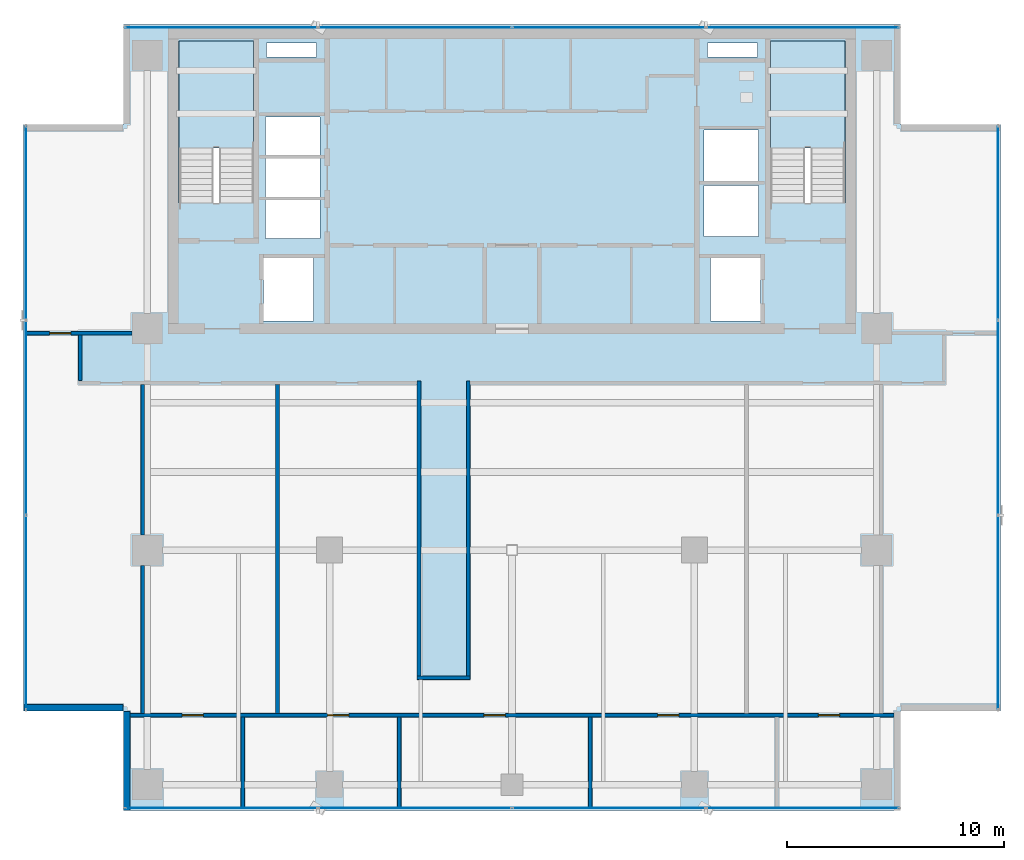
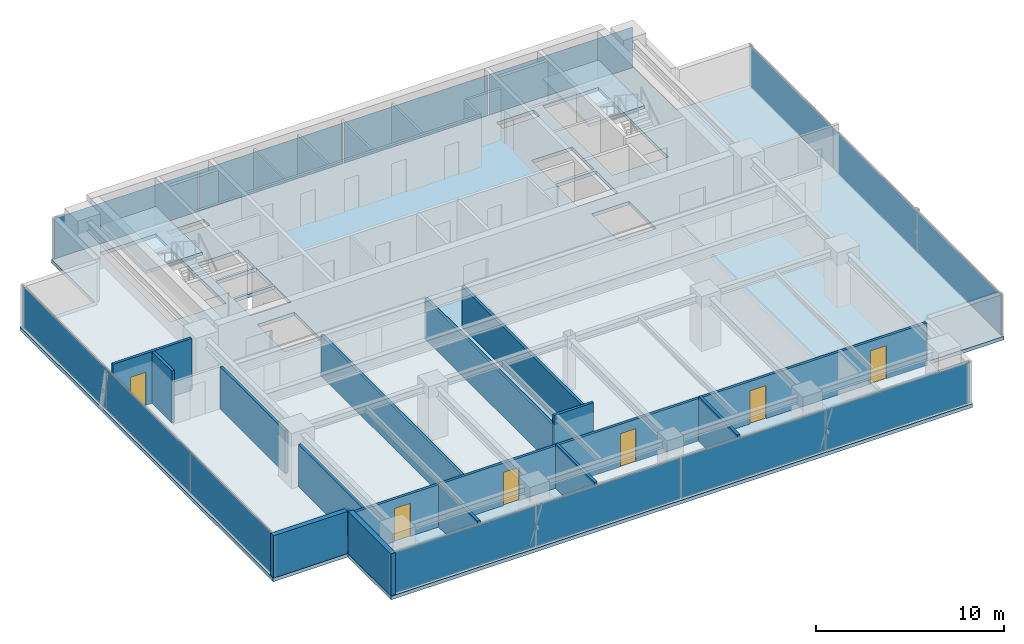
# One storey, part 19 of 27: 14 plates, 14 walls, 6 doors, 3 slabs, 6 openings, 6 elements without a shape of their own.
"""IFC4 building model written with IfcOpenShell, lengths in metres."""

from ifc_helpers import new_model, si_unit, direction, frame, frame_2d, origin, origin_2d, place, context, subcontext, project, spatial, polyline, rectangle, outline, extrude, source, transform, mapped, material, layer, layer_set, type_object, element, fill, aggregate, save


model = new_model("IFC4")

# Units and contexts
model_context = context("Model", 3, precision=1e-05, world=origin(), true_north=direction((0.0, 1.0)))
body_context = subcontext(model_context, "Body", "Model", "MODEL_VIEW")
ifc_project = project(units=[si_unit("LENGTHUNIT", "METRE"), si_unit("AREAUNIT", "SQUARE_METRE"), si_unit("VOLUMEUNIT", "CUBIC_METRE"), si_unit("PLANEANGLEUNIT", "RADIAN"), si_unit("MASSUNIT", "GRAM", prefix="KILO")], contexts=[model_context])

# Site, building, storey
site_placement = place(None, origin())
site = spatial("IfcSite", under=ifc_project, at=site_placement, CompositionType="ELEMENT")
building_placement = place(site_placement, origin())
building = spatial("IfcBuilding", under=site, at=building_placement, Name="Sumidabori Civic Tower", CompositionType="ELEMENT")
storey_placement = place(building_placement, frame((0.0, 0.0, 257.60009765625)))
storey = spatial("IfcBuildingStorey", under=building, at=storey_placement, Name="L67", CompositionType="ELEMENT", Elevation=257.60009765625)

# Stair, slab
ifc_material_1 = material(Name="Concrete C40/50", Category="concrete")
stair_type = type_object("IfcStairType", Name="ST-CORE-1600", PredefinedType="HALF_TURN_STAIR", material=ifc_material_1)
stair_1_placement = place(storey_placement, origin())
stair_1 = element("IfcStair", 1, at=stair_1_placement, inside=storey, type_object=stair_type, Name="L67 ST-1", PredefinedType="HALF_TURN_STAIR")
ifc_layer_1 = layer(ifc_material_1, 0.199951171875, Name="Concrete C40/50")
ifc_layer_set_1 = layer_set([ifc_layer_1], Name="Concrete C40/50")
slab_type_1 = type_object("IfcSlabType", Name="SL-LAND-200", PredefinedType="LANDING", material=ifc_layer_set_1)
slab_1_placement = place(storey_placement, frame((0.0, 0.0, 1.599853515625)))
slab_1 = element("IfcSlab", 2, at=slab_1_placement, type_object=slab_type_1, Name="ST-1 landing 1", PredefinedType="LANDING", context=body_context, shape_type="SweptSolid", body=[
    extrude(outline(polyline([(-11.89990234375, 18.52001953125), (-11.89990234375, 23.449951171875), (-15.340087890625, 23.449951171875), (-15.340087890625, 18.52001953125), (-11.89990234375, 18.52001953125)])), origin(), (0.0, 0.0, 1.0), 0.199951171875),
])
aggregate(stair_1, [slab_1])

stair_2_placement = place(storey_placement, origin())
stair_2 = element("IfcStair", 3, at=stair_2_placement, inside=storey, type_object=stair_type, Name="L67 ST-2", PredefinedType="HALF_TURN_STAIR")
slab_2_placement = place(storey_placement, frame((0.0, 0.0, 1.599853515625)))
slab_2 = element("IfcSlab", 4, at=slab_2_placement, type_object=slab_type_1, Name="ST-2 landing 1", PredefinedType="LANDING", context=body_context, shape_type="SweptSolid", body=[
    extrude(outline(polyline([(15.340087890625, 18.52001953125), (15.340087890625, 23.449951171875), (11.89990234375, 23.449951171875), (11.89990234375, 18.52001953125), (15.340087890625, 18.52001953125)])), origin(), (0.0, 0.0, 1.0), 0.199951171875),
])
aggregate(stair_2, [slab_2])

# Slab
ifc_layer_2 = layer(ifc_material_1, 0.22998046875, Name="Concrete C40/50")
ifc_layer_set_2 = layer_set([ifc_layer_2], Name="Concrete C40/50")
slab_type_2 = type_object("IfcSlabType", Name="SL-Z4-230", PredefinedType="FLOOR", material=ifc_layer_set_2)
slab_3_placement = place(storey_placement, frame((0.0, 0.0, -0.22998046875)))
element("IfcSlab", 5, at=slab_3_placement, inside=storey, type_object=slab_type_2, Name="Structural Slab L67", PredefinedType="FLOOR", context=body_context, shape_type="SweptSolid", body=[
    extrude(outline(polyline([(-17.89990234375, -12.0), (17.89990234375, -12.0), (17.89990234375, -7.39990234375), (22.5, -7.39990234375), (22.5, 19.60009765625), (17.89990234375, 19.60009765625), (17.89990234375, 24.199951171875), (-17.89990234375, 24.199951171875), (-17.89990234375, 19.60009765625), (-22.5, 19.60009765625), (-22.5, -7.39990234375), (-17.89990234375, -7.39990234375), (-17.89990234375, -12.0)]), holes=[polyline([(-11.89990234375, 16.0), (-11.89990234375, 23.449951171875), (-15.340087890625, 23.449951171875), (-15.340087890625, 16.0), (-11.89990234375, 16.0)]), polyline([(15.340087890625, 16.0), (15.340087890625, 23.449951171875), (11.89990234375, 23.449951171875), (11.89990234375, 16.0), (15.340087890625, 16.0)]), polyline([(-11.449951171875, 10.550048828125), (-9.14990234375, 10.550048828125), (-9.14990234375, 13.449951171875), (-11.449951171875, 13.449951171875), (-11.449951171875, 10.550048828125)]), polyline([(9.14990234375, 10.550048828125), (11.449951171875, 10.550048828125), (11.449951171875, 13.449951171875), (9.14990234375, 13.449951171875), (9.14990234375, 10.550048828125)]), polyline([(-11.35009765625, 14.35009765625), (-8.85009765625, 14.35009765625), (-8.85009765625, 16.1201171875), (-11.35009765625, 16.1201171875), (-11.35009765625, 14.35009765625)]), polyline([(-11.35009765625, 16.27001953125), (-8.85009765625, 16.27001953125), (-8.85009765625, 18.0400390625), (-11.35009765625, 18.0400390625), (-11.35009765625, 16.27001953125)]), polyline([(-11.35009765625, 18.18994140625), (-8.85009765625, 18.18994140625), (-8.85009765625, 19.9599609375), (-11.35009765625, 19.9599609375), (-11.35009765625, 18.18994140625)]), polyline([(8.85009765625, 14.449951171875), (11.35009765625, 14.449951171875), (11.35009765625, 16.800048828125), (8.85009765625, 16.800048828125), (8.85009765625, 14.449951171875)]), polyline([(8.85009765625, 17.0), (11.35009765625, 17.0), (11.35009765625, 19.35009765625), (8.85009765625, 19.35009765625), (8.85009765625, 17.0)]), polyline([(-11.300048828125, 22.719970703125), (-9.0, 22.719970703125), (-9.0, 23.35009765625), (-11.300048828125, 23.35009765625), (-11.300048828125, 22.719970703125)]), polyline([(9.0, 22.719970703125), (11.300048828125, 22.719970703125), (11.300048828125, 23.35009765625), (9.0, 23.35009765625), (9.0, 22.719970703125)])]), origin(), (0.0, 0.0, 1.0), 0.22998046875),
])

# Curtain wall, plates
ifc_material_2 = material(Name="Anodised Bronze Aluminium AW-6063-T6", Category="aluminium")
ifc_layer_3 = layer(ifc_material_2, 0.179931640625, Name="Anodised Bronze Aluminium AW-6063-T6")
ifc_layer_set_3 = layer_set([ifc_layer_3], Name="Anodised Bronze Aluminium AW-6063-T6")
curtain_wall_type = type_object("IfcCurtainWallType", Name="CW-SYS-5", PredefinedType="NOTDEFINED", material=ifc_layer_set_3)
curtain_wall_1_placement = place(storey_placement, origin())
curtain_wall_1 = element("IfcCurtainWall", 6, at=curtain_wall_1_placement, inside=storey, type_object=curtain_wall_type, Name="Curtain Wall CW:L67:R01", PredefinedType="NOTDEFINED")
ifc_material_3 = material(Name="Low-E Solar-Control Vision Glazing", Category="glass")
ifc_layer_4 = layer(ifc_material_3, 0.028076171875, Name="Low-E Solar-Control Vision Glazing")
ifc_layer_set_4 = layer_set([ifc_layer_4], Name="Low-E Solar-Control Vision Glazing")
plate_type = type_object("IfcPlateType", Name="CW-PNL-28", PredefinedType="CURTAIN_PANEL", material=ifc_layer_set_4)
shared_shape_1 = source(origin(), body_context, "Body", "SweptSolid", [
    extrude(rectangle(XDim=8.844970703125, YDim=0.028076171875, at=origin_2d()), origin(), (0.0, 0.0, 1.0), 2.6298828125),
])
plate_1_placement = place(storey_placement, frame((-13.387451171875, -11.8798828125, 0.06005859375), z_axis=(0.0, 0.0, 1.0), x_axis=(1.0, 0.0, 0.0)))
plate_1 = element("IfcPlate", 7, at=plate_1_placement, type_object=plate_type, Name="CW-5 panel 1.1", PredefinedType="CURTAIN_PANEL", context=body_context, shape_type="MappedRepresentation", body=[
    mapped(shared_shape_1, transform((0.0, 0.0, 0.0), x_axis=(1.0, 0.0, 0.0), y_axis=(0.0, 1.0, 0.0), z_axis=(0.0, 0.0, 1.0), scale=1.0)),
])
plate_2_placement = place(storey_placement, frame((13.387451171875, -11.8798828125, 0.06005859375), z_axis=(0.0, 0.0, 1.0), x_axis=(1.0, 0.0, 0.0)))
plate_2 = element("IfcPlate", 8, at=plate_2_placement, type_object=plate_type, Name="CW-5 panel 4.1", PredefinedType="CURTAIN_PANEL", context=body_context, shape_type="MappedRepresentation", body=[
    mapped(shared_shape_1, transform((0.0, 0.0, 0.0), x_axis=(1.0, 0.0, 0.0), y_axis=(0.0, 1.0, 0.0), z_axis=(0.0, 0.0, 1.0), scale=1.0)),
])

curtain_wall_2_placement = place(storey_placement, origin())
curtain_wall_2 = element("IfcCurtainWall", 9, at=curtain_wall_2_placement, inside=storey, type_object=curtain_wall_type, Name="Curtain Wall CW:L67:R07", PredefinedType="NOTDEFINED")
plate_3_placement = place(storey_placement, frame((13.387451171875, 24.080078125, 0.06005859375), z_axis=(0.0, 0.0, 1.0), x_axis=(-1.0, 0.0, 0.0)))
plate_3 = element("IfcPlate", 10, at=plate_3_placement, type_object=plate_type, Name="CW-5 panel 1.1", PredefinedType="CURTAIN_PANEL", context=body_context, shape_type="MappedRepresentation", body=[
    mapped(shared_shape_1, transform((0.0, 0.0, 0.0), x_axis=(1.0, 0.0, 0.0), y_axis=(0.0, 1.0, 0.0), z_axis=(0.0, 0.0, 1.0), scale=1.0)),
])
plate_4_placement = place(storey_placement, frame((-13.387451171875, 24.080078125, 0.06005859375), z_axis=(0.0, 0.0, 1.0), x_axis=(-1.0, 0.0, 0.0)))
plate_4 = element("IfcPlate", 11, at=plate_4_placement, type_object=plate_type, Name="CW-5 panel 4.1", PredefinedType="CURTAIN_PANEL", context=body_context, shape_type="MappedRepresentation", body=[
    mapped(shared_shape_1, transform((0.0, 0.0, 0.0), x_axis=(1.0, 0.0, 0.0), y_axis=(0.0, 1.0, 0.0), z_axis=(0.0, 0.0, 1.0), scale=1.0)),
])

# Plate
shared_shape_2 = source(origin(), body_context, "Body", "SweptSolid", [
    extrude(rectangle(XDim=8.875, YDim=0.028076171875, at=origin_2d()), origin(), (0.0, 0.0, 1.0), 2.6298828125),
])
plate_5_placement = place(storey_placement, frame((-4.467529296875, -11.8798828125, 0.06005859375), z_axis=(0.0, 0.0, 1.0), x_axis=(1.0, 0.0, 0.0)))
plate_5 = element("IfcPlate", 12, at=plate_5_placement, type_object=plate_type, Name="CW-5 panel 2.1", PredefinedType="CURTAIN_PANEL", context=body_context, shape_type="MappedRepresentation", body=[
    mapped(shared_shape_2, transform((0.0, 0.0, 0.0), x_axis=(1.0, 0.0, 0.0), y_axis=(0.0, 1.0, 0.0), z_axis=(0.0, 0.0, 1.0), scale=1.0)),
])

plate_6_placement = place(storey_placement, frame((4.467529296875, -11.8798828125, 0.06005859375), z_axis=(0.0, 0.0, 1.0), x_axis=(1.0, 0.0, 0.0)))
plate_6 = element("IfcPlate", 13, at=plate_6_placement, type_object=plate_type, Name="CW-5 panel 3.1", PredefinedType="CURTAIN_PANEL", context=body_context, shape_type="MappedRepresentation", body=[
    mapped(shared_shape_2, transform((0.0, 0.0, 0.0), x_axis=(1.0, 0.0, 0.0), y_axis=(0.0, 1.0, 0.0), z_axis=(0.0, 0.0, 1.0), scale=1.0)),
])

aggregate(curtain_wall_1, [plate_1, plate_5, plate_6, plate_2])

plate_7_placement = place(storey_placement, frame((4.467529296875, 24.080078125, 0.06005859375), z_axis=(0.0, 0.0, 1.0), x_axis=(-1.0, 0.0, 0.0)))
plate_7 = element("IfcPlate", 14, at=plate_7_placement, type_object=plate_type, Name="CW-5 panel 2.1", PredefinedType="CURTAIN_PANEL", context=body_context, shape_type="MappedRepresentation", body=[
    mapped(shared_shape_2, transform((0.0, 0.0, 0.0), x_axis=(1.0, 0.0, 0.0), y_axis=(0.0, 1.0, 0.0), z_axis=(0.0, 0.0, 1.0), scale=1.0)),
])

plate_8_placement = place(storey_placement, frame((-4.467529296875, 24.080078125, 0.06005859375), z_axis=(0.0, 0.0, 1.0), x_axis=(-1.0, 0.0, 0.0)))
plate_8 = element("IfcPlate", 15, at=plate_8_placement, type_object=plate_type, Name="CW-5 panel 3.1", PredefinedType="CURTAIN_PANEL", context=body_context, shape_type="MappedRepresentation", body=[
    mapped(shared_shape_2, transform((0.0, 0.0, 0.0), x_axis=(1.0, 0.0, 0.0), y_axis=(0.0, 1.0, 0.0), z_axis=(0.0, 0.0, 1.0), scale=1.0)),
])

aggregate(curtain_wall_2, [plate_3, plate_7, plate_8, plate_4])

# Curtain wall, plates
curtain_wall_3_placement = place(storey_placement, origin())
curtain_wall_3 = element("IfcCurtainWall", 16, at=curtain_wall_3_placement, inside=storey, type_object=curtain_wall_type, Name="Curtain Wall CW:L67:R04", PredefinedType="NOTDEFINED")
shared_shape_3 = source(origin(), body_context, "Body", "SweptSolid", [
    extrude(rectangle(XDim=8.889892578125, YDim=0.028076171875, at=origin_2d()), origin(), (0.0, 0.0, 1.0), 2.6298828125),
])
plate_9_placement = place(storey_placement, frame((22.3798828125, -2.864990234375, 0.06005859375), z_axis=(0.0, 0.0, 1.0), x_axis=(0.0, 1.0, 0.0)))
plate_9 = element("IfcPlate", 17, at=plate_9_placement, type_object=plate_type, Name="CW-5 panel 1.1", PredefinedType="CURTAIN_PANEL", context=body_context, shape_type="MappedRepresentation", body=[
    mapped(shared_shape_3, transform((0.0, 0.0, 0.0), x_axis=(1.0, 0.0, 0.0), y_axis=(0.0, 1.0, 0.0), z_axis=(0.0, 0.0, 1.0), scale=1.0)),
])
plate_10_placement = place(storey_placement, frame((22.3798828125, 15.06494140625, 0.06005859375), z_axis=(0.0, 0.0, 1.0), x_axis=(0.0, 1.0, 0.0)))
plate_10 = element("IfcPlate", 18, at=plate_10_placement, type_object=plate_type, Name="CW-5 panel 3.1", PredefinedType="CURTAIN_PANEL", context=body_context, shape_type="MappedRepresentation", body=[
    mapped(shared_shape_3, transform((0.0, 0.0, 0.0), x_axis=(1.0, 0.0, 0.0), y_axis=(0.0, 1.0, 0.0), z_axis=(0.0, 0.0, 1.0), scale=1.0)),
])

curtain_wall_4_placement = place(storey_placement, origin())
curtain_wall_4 = element("IfcCurtainWall", 19, at=curtain_wall_4_placement, inside=storey, type_object=curtain_wall_type, Name="Curtain Wall CW:L67:R10", PredefinedType="NOTDEFINED")
plate_11_placement = place(storey_placement, frame((-22.3798828125, 15.06494140625, 0.06005859375), z_axis=(0.0, 0.0, 1.0), x_axis=(0.0, -1.0, 0.0)))
plate_11 = element("IfcPlate", 20, at=plate_11_placement, type_object=plate_type, Name="CW-5 panel 1.1", PredefinedType="CURTAIN_PANEL", context=body_context, shape_type="MappedRepresentation", body=[
    mapped(shared_shape_3, transform((0.0, 0.0, 0.0), x_axis=(1.0, 0.0, 0.0), y_axis=(0.0, 1.0, 0.0), z_axis=(0.0, 0.0, 1.0), scale=1.0)),
])
plate_12_placement = place(storey_placement, frame((-22.3798828125, -2.864990234375, 0.06005859375), z_axis=(0.0, 0.0, 1.0), x_axis=(0.0, -1.0, 0.0)))
plate_12 = element("IfcPlate", 21, at=plate_12_placement, type_object=plate_type, Name="CW-5 panel 3.1", PredefinedType="CURTAIN_PANEL", context=body_context, shape_type="MappedRepresentation", body=[
    mapped(shared_shape_3, transform((0.0, 0.0, 0.0), x_axis=(1.0, 0.0, 0.0), y_axis=(0.0, 1.0, 0.0), z_axis=(0.0, 0.0, 1.0), scale=1.0)),
])

# Plate
shared_shape_4 = source(origin(), body_context, "Body", "SweptSolid", [
    extrude(rectangle(XDim=8.919921875, YDim=0.028076171875, at=origin_2d()), origin(), (0.0, 0.0, 1.0), 2.6298828125),
])
plate_13_placement = place(storey_placement, frame((22.3798828125, 6.10009765625, 0.06005859375), z_axis=(0.0, 0.0, 1.0), x_axis=(0.0, 1.0, 0.0)))
plate_13 = element("IfcPlate", 22, at=plate_13_placement, type_object=plate_type, Name="CW-5 panel 2.1", PredefinedType="CURTAIN_PANEL", context=body_context, shape_type="MappedRepresentation", body=[
    mapped(shared_shape_4, transform((0.0, 0.0, 0.0), x_axis=(1.0, 0.0, 0.0), y_axis=(0.0, 1.0, 0.0), z_axis=(0.0, 0.0, 1.0), scale=1.0)),
])

aggregate(curtain_wall_3, [plate_9, plate_13, plate_10])

plate_14_placement = place(storey_placement, frame((-22.3798828125, 6.10009765625, 0.06005859375), z_axis=(0.0, 0.0, 1.0), x_axis=(0.0, -1.0, 0.0)))
plate_14 = element("IfcPlate", 23, at=plate_14_placement, type_object=plate_type, Name="CW-5 panel 2.1", PredefinedType="CURTAIN_PANEL", context=body_context, shape_type="MappedRepresentation", body=[
    mapped(shared_shape_4, transform((0.0, 0.0, 0.0), x_axis=(1.0, 0.0, 0.0), y_axis=(0.0, 1.0, 0.0), z_axis=(0.0, 0.0, 1.0), scale=1.0)),
])

aggregate(curtain_wall_4, [plate_11, plate_14, plate_12])

# Walls
ifc_material_4 = material(Name="Precast concrete C40/50", Category="concrete")
ifc_layer_5 = layer(ifc_material_4, 0.300048828125, Name="Precast concrete C40/50")
ifc_layer_set_5 = layer_set([ifc_layer_5], Name="Precast concrete C40/50")
wall_type_1 = type_object("IfcWallType", Name="WL-EXT-POD300", PredefinedType="STANDARD", material=ifc_layer_set_5)
shared_shape_5 = source(origin(), body_context, "Body", "SweptSolid", [
    extrude(rectangle(XDim=4.56005859375, YDim=0.300048828125, at=frame_2d((2.280029296875, 0.0))), origin(), (0.0, 0.0, 1.0), 2.75),
])
for number, where, z_axis, x_axis, name in (
    (24, (-22.47998046875, -7.25, 0.0), (0.0, 0.0, 1.0), (1.0, 0.0, 0.0), "Notched Corner Spandrel Band L67-11"),
    (25, (-17.75, -7.419921875, 0.0), (0.0, 0.0, 1.0), (0.0, -1.0, 0.0), "Notched Corner Spandrel Band L67-12"),
):
    element("IfcWall", number, at=place(storey_placement, frame(where, z_axis=z_axis, x_axis=x_axis)), inside=storey, type_object=wall_type_1, Name=name, PredefinedType="STANDARD", context=body_context, shape_type="MappedRepresentation", body=[
        mapped(shared_shape_5, transform((0.0, 0.0, 0.0), x_axis=(1.0, 0.0, 0.0), y_axis=(0.0, 1.0, 0.0), z_axis=(0.0, 0.0, 1.0), scale=1.0)),
    ])

# Wall, openings, doors
ifc_material_5 = material(Name="Gypsum Plasterboard Acoustic Partition")
ifc_layer_6 = layer(ifc_material_5, 0.1650390625, Name="Gypsum Plasterboard Acoustic Partition")
ifc_layer_set_6 = layer_set([ifc_layer_6], Name="Gypsum Plasterboard Acoustic Partition")
wall_type_2 = type_object("IfcWallType", Name="WL-PART-165", PredefinedType="PARTITIONING", material=ifc_layer_set_6)
shared_shape_6 = source(origin(), body_context, "Body", "SweptSolid", [
    extrude(rectangle(XDim=35.18408203125, YDim=0.1650390625, at=frame_2d((17.592041015625, 0.0))), origin(), (0.0, 0.0, 1.0), 2.7548828125),
])
wall_1_placement = place(storey_placement, frame((-17.592041015625, -7.60009765625, 0.0), z_axis=(0.0, 0.0, 1.0), x_axis=(1.0, 0.0, 0.0)))
wall_1 = element("IfcWall", 26, at=wall_1_placement, inside=storey, type_object=wall_type_2, Name="Interior Partition WL:L67:BAND-Y", PredefinedType="PARTITIONING", context=body_context, shape_type="MappedRepresentation", body=[
    mapped(shared_shape_6, transform((0.0, 0.0, 0.0), x_axis=(1.0, 0.0, 0.0), y_axis=(0.0, 1.0, 0.0), z_axis=(0.0, 0.0, 1.0), scale=1.0)),
])
opening_1_placement = place(wall_1_placement, frame((2.402099609375, 0.0, 0.0)))
opening_1 = element("IfcOpeningElement", 27, at=opening_1_placement, cuts=wall_1, Name="Opening DR-3", PredefinedType="OPENING", context=body_context, shape_type="SweptSolid", body=[
    extrude(rectangle(XDim=0.97998046875, YDim=2.14990234375, at=frame_2d((0.489990234375, 1.074951171875))), frame((0.0, 0.094482421875, 0.0), z_axis=(0.0, -1.0, 0.0), x_axis=(1.0, 0.0, 0.0)), (0.0, 0.0, 1.0), 0.18896484375),
])
opening_2_placement = place(wall_1_placement, frame((31.701904296875, 0.0, 0.0)))
opening_2 = element("IfcOpeningElement", 28, at=opening_2_placement, cuts=wall_1, Name="Opening DR-3", PredefinedType="OPENING", context=body_context, shape_type="SweptSolid", body=[
    extrude(rectangle(XDim=0.97998046875, YDim=2.14990234375, at=frame_2d((0.489990234375, 1.074951171875))), frame((0.0, 0.094482421875, 0.0), z_axis=(0.0, -1.0, 0.0), x_axis=(1.0, 0.0, 0.0)), (0.0, 0.0, 1.0), 0.18896484375),
])
opening_3_placement = place(wall_1_placement, frame((9.10205078125, 0.0, 0.0)))
opening_3 = element("IfcOpeningElement", 29, at=opening_3_placement, cuts=wall_1, Name="Opening DR-3", PredefinedType="OPENING", context=body_context, shape_type="SweptSolid", body=[
    extrude(rectangle(XDim=0.97998046875, YDim=2.14990234375, at=frame_2d((0.489990234375, 1.074951171875))), frame((0.0, 0.094482421875, 0.0), z_axis=(0.0, -1.0, 0.0), x_axis=(1.0, 0.0, 0.0)), (0.0, 0.0, 1.0), 0.18896484375),
])
opening_4_placement = place(wall_1_placement, frame((16.302001953125, 0.0, 0.0)))
opening_4 = element("IfcOpeningElement", 30, at=opening_4_placement, cuts=wall_1, Name="Opening DR-3", PredefinedType="OPENING", context=body_context, shape_type="SweptSolid", body=[
    extrude(rectangle(XDim=0.97998046875, YDim=2.14990234375, at=frame_2d((0.489990234375, 1.074951171875))), frame((0.0, 0.094482421875, 0.0), z_axis=(0.0, -1.0, 0.0), x_axis=(1.0, 0.0, 0.0)), (0.0, 0.0, 1.0), 0.18896484375),
])
opening_5_placement = place(wall_1_placement, frame((24.302001953125, 0.0, 0.0)))
opening_5 = element("IfcOpeningElement", 31, at=opening_5_placement, cuts=wall_1, Name="Opening DR-3", PredefinedType="OPENING", context=body_context, shape_type="SweptSolid", body=[
    extrude(rectangle(XDim=0.97998046875, YDim=2.14990234375, at=frame_2d((0.489990234375, 1.074951171875))), frame((0.0, 0.094482421875, 0.0), z_axis=(0.0, -1.0, 0.0), x_axis=(1.0, 0.0, 0.0)), (0.0, 0.0, 1.0), 0.18896484375),
])
ifc_material_6 = material(Name="Japanese Hinoki Timber", Category="wood")
door_type = type_object("IfcDoorType", Name="DR-INT-980", OperationType="NOTDEFINED", PredefinedType="DOOR", material=ifc_material_6)
shared_shape_7 = source(origin(), body_context, "Body", "SweptSolid", [
    extrude(rectangle(XDim=0.97998046875, YDim=2.14990234375, at=frame_2d((0.489990234375, 1.074951171875))), frame((0.0, 0.02490234375, 0.0), z_axis=(0.0, -1.0, 0.0), x_axis=(1.0, 0.0, 0.0)), (0.0, 0.0, 1.0), 0.050048828125),
])
door_1_placement = place(opening_1_placement, origin())
door_1 = element("IfcDoor", 32, at=door_1_placement, inside=storey, type_object=door_type, Name="Door DR:L67:D08", OperationType="SINGLE_SWING_RIGHT", OverallHeight=2.14990234375, OverallWidth=0.97998046875, PredefinedType="DOOR", context=body_context, shape_type="MappedRepresentation", body=[
    mapped(shared_shape_7, transform((0.0, 0.0, 0.0), x_axis=(1.0, 0.0, 0.0), y_axis=(0.0, 1.0, 0.0), z_axis=(0.0, 0.0, 1.0), scale=1.0)),
])
fill(opening_1, door_1)
door_2_placement = place(opening_2_placement, origin())
door_2 = element("IfcDoor", 33, at=door_2_placement, inside=storey, type_object=door_type, Name="Door DR:L67:D09", OperationType="SINGLE_SWING_LEFT", OverallHeight=2.14990234375, OverallWidth=0.97998046875, PredefinedType="DOOR", context=body_context, shape_type="MappedRepresentation", body=[
    mapped(shared_shape_7, transform((0.0, 0.0, 0.0), x_axis=(1.0, 0.0, 0.0), y_axis=(0.0, 1.0, 0.0), z_axis=(0.0, 0.0, 1.0), scale=1.0)),
])
fill(opening_2, door_2)
door_3_placement = place(opening_3_placement, origin())
door_3 = element("IfcDoor", 34, at=door_3_placement, inside=storey, type_object=door_type, Name="Door DR:L67:D10", OperationType="SINGLE_SWING_RIGHT", OverallHeight=2.14990234375, OverallWidth=0.97998046875, PredefinedType="DOOR", context=body_context, shape_type="MappedRepresentation", body=[
    mapped(shared_shape_7, transform((0.0, 0.0, 0.0), x_axis=(1.0, 0.0, 0.0), y_axis=(0.0, 1.0, 0.0), z_axis=(0.0, 0.0, 1.0), scale=1.0)),
])
fill(opening_3, door_3)
door_4_placement = place(opening_4_placement, origin())
door_4 = element("IfcDoor", 35, at=door_4_placement, inside=storey, type_object=door_type, Name="Door DR:L67:D11", OperationType="SINGLE_SWING_LEFT", OverallHeight=2.14990234375, OverallWidth=0.97998046875, PredefinedType="DOOR", context=body_context, shape_type="MappedRepresentation", body=[
    mapped(shared_shape_7, transform((0.0, 0.0, 0.0), x_axis=(1.0, 0.0, 0.0), y_axis=(0.0, 1.0, 0.0), z_axis=(0.0, 0.0, 1.0), scale=1.0)),
])
fill(opening_4, door_4)
door_5_placement = place(opening_5_placement, origin())
door_5 = element("IfcDoor", 36, at=door_5_placement, inside=storey, type_object=door_type, Name="Door DR:L67:D12", OperationType="SINGLE_SWING_RIGHT", OverallHeight=2.14990234375, OverallWidth=0.97998046875, PredefinedType="DOOR", context=body_context, shape_type="MappedRepresentation", body=[
    mapped(shared_shape_7, transform((0.0, 0.0, 0.0), x_axis=(1.0, 0.0, 0.0), y_axis=(0.0, 1.0, 0.0), z_axis=(0.0, 0.0, 1.0), scale=1.0)),
])
fill(opening_5, door_5)

# Walls
shared_shape_8 = source(origin(), body_context, "Body", "SweptSolid", [
    extrude(rectangle(XDim=6.802490234375, YDim=0.1650390625, at=frame_2d((3.4013671875, 0.0))), origin(), (0.0, 0.0, 1.0), 2.7548828125),
])
wall_2_placement = place(storey_placement, frame((-17.0, -7.512451171875, 0.0), z_axis=(0.0, 0.0, 1.0), x_axis=(0.0, 1.0, 0.0)))
element("IfcWall", 37, at=wall_2_placement, inside=storey, type_object=wall_type_2, Name="Interior Partition WL:L67:VX-N1-1", PredefinedType="PARTITIONING", context=body_context, shape_type="MappedRepresentation", body=[
    mapped(shared_shape_8, transform((0.0, 0.0, 0.0), x_axis=(1.0, 0.0, 0.0), y_axis=(0.0, 1.0, 0.0), z_axis=(0.0, 0.0, 1.0), scale=1.0)),
])
shared_shape_9 = source(origin(), body_context, "Body", "SweptSolid", [
    extrude(rectangle(XDim=6.919921875, YDim=0.1650390625, at=frame_2d((3.4599609375, 0.0))), origin(), (0.0, 0.0, 1.0), 2.7548828125),
])
wall_3_placement = place(storey_placement, frame((-17.0, 0.7099609375, 0.0), z_axis=(0.0, 0.0, 1.0), x_axis=(0.0, 1.0, 0.0)))
element("IfcWall", 38, at=wall_3_placement, inside=storey, type_object=wall_type_2, Name="Interior Partition WL:L67:VX-N1-2", PredefinedType="PARTITIONING", context=body_context, shape_type="MappedRepresentation", body=[
    mapped(shared_shape_9, transform((0.0, 0.0, 0.0), x_axis=(1.0, 0.0, 0.0), y_axis=(0.0, 1.0, 0.0), z_axis=(0.0, 0.0, 1.0), scale=1.0)),
])

# Wall, opening, door
shared_shape_10 = source(origin(), body_context, "Body", "SweptSolid", [
    extrude(rectangle(XDim=4.840087890625, YDim=0.1650390625, at=frame_2d((2.419921875, 0.0))), origin(), (0.0, 0.0, 1.0), 3.369873046875),
])
wall_4_placement = place(storey_placement, frame((-22.35009765625, 10.0, 0.0), z_axis=(0.0, 0.0, 1.0), x_axis=(1.0, 0.0, 0.0)))
wall_4 = element("IfcWall", 39, at=wall_4_placement, inside=storey, type_object=wall_type_2, Name="Interior Partition WL:L67:FLK-NW", PredefinedType="PARTITIONING", context=body_context, shape_type="MappedRepresentation", body=[
    mapped(shared_shape_10, transform((0.0, 0.0, 0.0), x_axis=(1.0, 0.0, 0.0), y_axis=(0.0, 1.0, 0.0), z_axis=(0.0, 0.0, 1.0), scale=1.0)),
])
opening_6_placement = place(wall_4_placement, frame((1.050048828125, 0.0, 0.0)))
opening_6 = element("IfcOpeningElement", 40, at=opening_6_placement, cuts=wall_4, Name="Opening DR-3", PredefinedType="OPENING", context=body_context, shape_type="SweptSolid", body=[
    extrude(rectangle(XDim=0.97998046875, YDim=2.14990234375, at=frame_2d((0.489990234375, 1.074951171875))), frame((0.0, 0.094482421875, 0.0), z_axis=(0.0, -1.0, 0.0), x_axis=(1.0, 0.0, 0.0)), (0.0, 0.0, 1.0), 0.18896484375),
])
door_6_placement = place(opening_6_placement, origin())
door_6 = element("IfcDoor", 41, at=door_6_placement, inside=storey, type_object=door_type, Name="Door DR:L67:D06", OperationType="SINGLE_SWING_RIGHT", OverallHeight=2.14990234375, OverallWidth=0.97998046875, PredefinedType="DOOR", context=body_context, shape_type="MappedRepresentation", body=[
    mapped(shared_shape_7, transform((0.0, 0.0, 0.0), x_axis=(1.0, 0.0, 0.0), y_axis=(0.0, 1.0, 0.0), z_axis=(0.0, 0.0, 1.0), scale=1.0)),
])
fill(opening_6, door_6)

# Walls
shared_shape_11 = source(origin(), body_context, "Body", "SweptSolid", [
    extrude(rectangle(XDim=2.429931640625, YDim=0.1650390625, at=frame_2d((1.21484375, 0.0))), origin(), (0.0, 0.0, 1.0), 3.369873046875),
])
wall_5_placement = place(storey_placement, frame((-4.364990234375, -5.882568359375, 0.0), z_axis=(0.0, 0.0, 1.0), x_axis=(1.0, 0.0, 0.0)))
element("IfcWall", 42, at=wall_5_placement, inside=storey, type_object=wall_type_2, Name="Interior Partition WL:L67:CORR-CAP-C", PredefinedType="PARTITIONING", context=body_context, shape_type="MappedRepresentation", body=[
    mapped(shared_shape_11, transform((0.0, 0.0, 0.0), x_axis=(1.0, 0.0, 0.0), y_axis=(0.0, 1.0, 0.0), z_axis=(0.0, 0.0, 1.0), scale=1.0)),
])
shared_shape_12 = source(origin(), body_context, "Body", "SweptSolid", [
    extrude(rectangle(XDim=2.107666015625, YDim=0.1650390625, at=frame_2d((1.0537109375, 0.0))), origin(), (0.0, 0.0, 1.0), 3.369873046875),
])
wall_6_placement = place(storey_placement, frame((-19.882568359375, 7.804931640625, 0.0), z_axis=(0.0, 0.0, 1.0), x_axis=(0.0, 1.0, 0.0)))
element("IfcWall", 43, at=wall_6_placement, inside=storey, type_object=wall_type_2, Name="Interior Partition WL:L67:CORR-VNW", PredefinedType="PARTITIONING", context=body_context, shape_type="MappedRepresentation", body=[
    mapped(shared_shape_12, transform((0.0, 0.0, 0.0), x_axis=(1.0, 0.0, 0.0), y_axis=(0.0, 1.0, 0.0), z_axis=(0.0, 0.0, 1.0), scale=1.0)),
])
shared_shape_13 = source(origin(), body_context, "Body", "SweptSolid", [
    extrude(rectangle(XDim=13.594970703125, YDim=0.1650390625, at=frame_2d((6.79736328125, 0.0))), origin(), (0.0, 0.0, 1.0), 2.65478515625),
])
for number, where, z_axis, x_axis, name in (
    (44, (-4.282470703125, -5.794921875, 0.0), (0.0, 0.0, 1.0), (0.0, 1.0, 0.0), "Interior Partition WL:L67:CORR-VC-W"),
    (45, (-2.017578125, -5.794921875, 0.0), (0.0, 0.0, 1.0), (0.0, 1.0, 0.0), "Interior Partition WL:L67:CORR-VC-E"),
):
    element("IfcWall", number, at=place(storey_placement, frame(where, z_axis=z_axis, x_axis=x_axis)), inside=storey, type_object=wall_type_2, Name=name, PredefinedType="PARTITIONING", context=body_context, shape_type="MappedRepresentation", body=[
        mapped(shared_shape_13, transform((0.0, 0.0, 0.0), x_axis=(1.0, 0.0, 0.0), y_axis=(0.0, 1.0, 0.0), z_axis=(0.0, 0.0, 1.0), scale=1.0)),
    ])
shared_shape_14 = source(origin(), body_context, "Body", "SweptSolid", [
    extrude(rectangle(XDim=15.142333984375, YDim=0.1650390625, at=frame_2d((7.5712890625, 0.0))), origin(), (0.0, 0.0, 1.0), 2.65478515625),
])
wall_7_placement = place(storey_placement, frame((-10.800048828125, -7.512451171875, 0.0), z_axis=(0.0, 0.0, 1.0), x_axis=(0.0, 1.0, 0.0)))
element("IfcWall", 46, at=wall_7_placement, inside=storey, type_object=wall_type_2, Name="Interior Partition WL:L67:VX-N2", PredefinedType="PARTITIONING", context=body_context, shape_type="MappedRepresentation", body=[
    mapped(shared_shape_14, transform((0.0, 0.0, 0.0), x_axis=(1.0, 0.0, 0.0), y_axis=(0.0, 1.0, 0.0), z_axis=(0.0, 0.0, 1.0), scale=1.0)),
])
shared_shape_15 = source(origin(), body_context, "Body", "SweptSolid", [
    extrude(rectangle(XDim=4.16259765625, YDim=0.1650390625, at=frame_2d((2.081298828125, 0.0))), origin(), (0.0, 0.0, 1.0), 2.90478515625),
])
for number, where, z_axis, x_axis, name in (
    (47, (-12.39990234375, -11.85009765625, 0.0), (0.0, 0.0, 1.0), (0.0, 1.0, 0.0), "Interior Partition WL:L67:VX-S2"),
    (48, (-5.199951171875, -11.85009765625, 0.0), (0.0, 0.0, 1.0), (0.0, 1.0, 0.0), "Interior Partition WL:L67:VX-S3"),
    (49, (3.60009765625, -11.85009765625, 0.0), (0.0, 0.0, 1.0), (0.0, 1.0, 0.0), "Interior Partition WL:L67:VX-S4"),
):
    element("IfcWall", number, at=place(storey_placement, frame(where, z_axis=z_axis, x_axis=x_axis)), inside=storey, type_object=wall_type_2, Name=name, PredefinedType="PARTITIONING", context=body_context, shape_type="MappedRepresentation", body=[
        mapped(shared_shape_15, transform((0.0, 0.0, 0.0), x_axis=(1.0, 0.0, 0.0), y_axis=(0.0, 1.0, 0.0), z_axis=(0.0, 0.0, 1.0), scale=1.0)),
    ])

save(model, "model.ifc")
